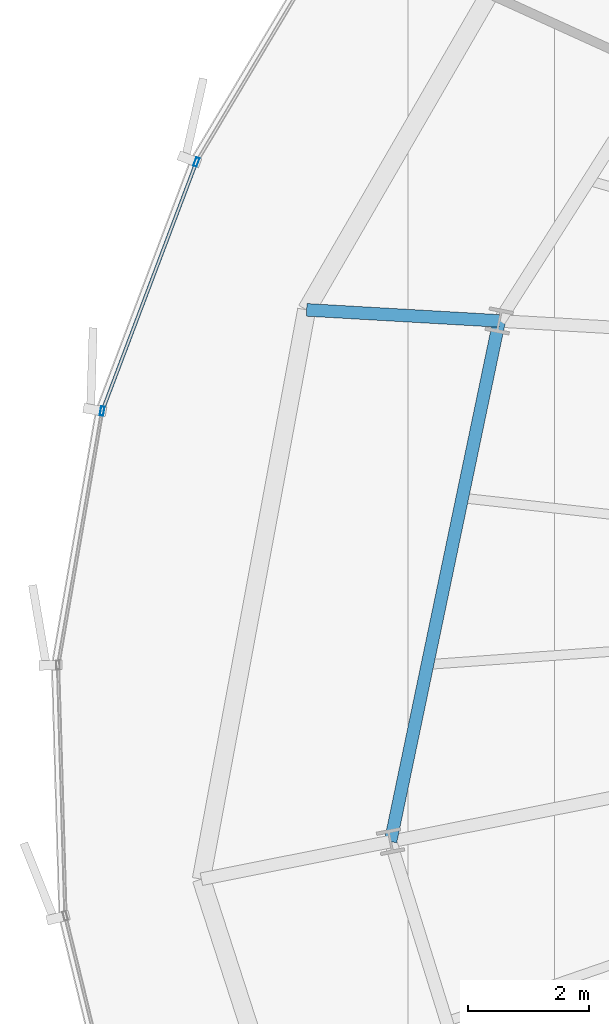
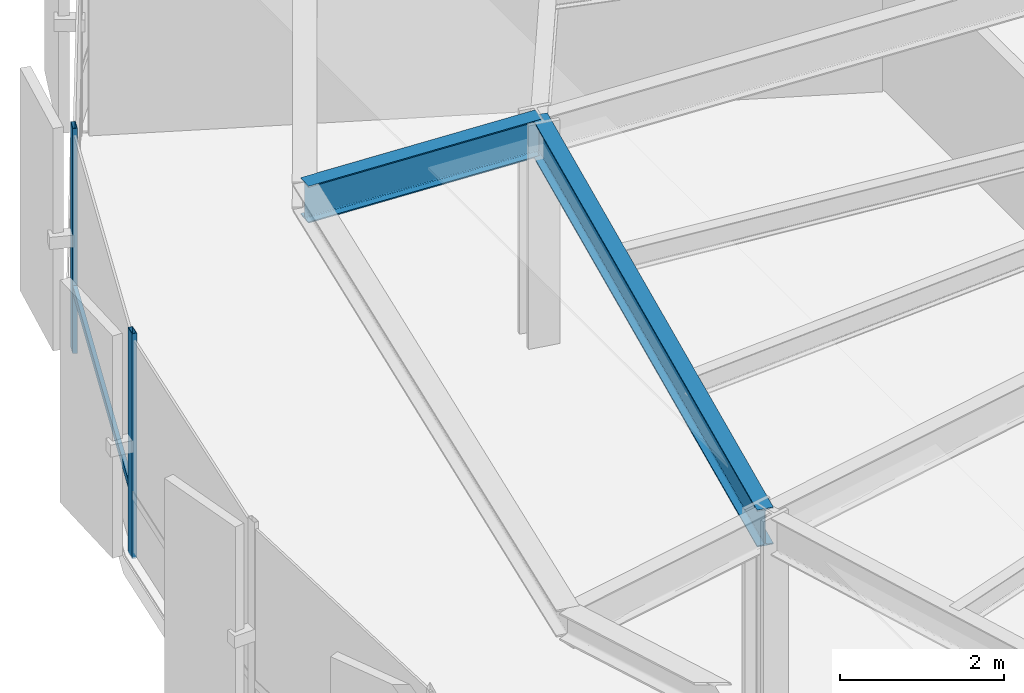
# One storey, part 10 of 33: 3 members, 2 beams, 1 element without a shape of its own.
"""IFC4 building model written with IfcOpenShell, lengths in metres."""

from ifc_helpers import new_model, si_unit, direction, frame, origin, origin_2d, place, context, subcontext, project, spatial, hollow_rectangle, i_section, extrude, source, transform, mapped, material, layer, layer_set, material_profile, profile_set, type_object, element, aggregate, save


model = new_model("IFC4")

# Units and contexts
model_context = context("Model", 3, precision=1e-05, world=origin(), true_north=direction((0.0, 1.0)))
body_context = subcontext(model_context, "Body", "Model", "MODEL_VIEW")
ifc_project = project(units=[si_unit("LENGTHUNIT", "METRE"), si_unit("AREAUNIT", "SQUARE_METRE"), si_unit("VOLUMEUNIT", "CUBIC_METRE"), si_unit("PLANEANGLEUNIT", "RADIAN"), si_unit("MASSUNIT", "GRAM", prefix="KILO"), si_unit("THERMODYNAMICTEMPERATUREUNIT", "KELVIN")], contexts=[model_context])

# Site, building, storey
site_placement = place(None, origin())
site = spatial("IfcSite", under=ifc_project, at=site_placement, CompositionType="ELEMENT")
building_placement = place(site_placement, origin())
building = spatial("IfcBuilding", under=site, at=building_placement, Name="Kethvar Cultural Tower", CompositionType="ELEMENT")
storey_placement = place(building_placement, frame((0.0, 0.0, 114.39990234375)))
storey = spatial("IfcBuildingStorey", under=building, at=storey_placement, Name="L28", CompositionType="ELEMENT", Elevation=114.39990234375)

# Beams
ifc_material_1 = material(Name="Steel S355J2", Category="steel")
ifc_material_profile_1 = material_profile(ifc_material_1, i_section(OverallWidth=0.2099609375, OverallDepth=0.550048828125, WebThickness=0.010986328125, FlangeThickness=0.01708984375, FilletRadius=0.02392578125, at=origin_2d()), Name="Steel S355J2 — IPE550")
ifc_profile_set_1 = profile_set([ifc_material_profile_1], Name="Steel S355J2 — IPE550")
beam_type = type_object("IfcBeamType", Name="BM-IPE550", PredefinedType="BEAM", material=ifc_profile_set_1)
shared_shape_1 = source(origin(), body_context, "Body", "SweptSolid", [
    extrude(i_section(OverallWidth=0.2099609375, OverallDepth=0.550048828125, WebThickness=0.010986328125, FlangeThickness=0.01708984375, FilletRadius=0.02392578125, at=origin_2d()), origin(), (0.0, 0.0, 1.0), 3.2001953125),
])
beam_1_placement = place(storey_placement, frame((25.988525390625, 31.939697265625, 3.072998046875), z_axis=(-0.998357274949, 0.057295301352, 0.0), x_axis=(-0.057295301352, -0.998357274949, 0.0)))
element("IfcBeam", 1, at=beam_1_placement, inside=storey, type_object=beam_type, Name="L28 Perimeter Cantilever Beam RC-08", PredefinedType="BEAM", context=body_context, shape_type="MappedRepresentation", body=[
    mapped(shared_shape_1, transform((0.0, 0.0, 0.0), scale=1.0)),
])
shared_shape_2 = source(origin(), body_context, "Body", "SweptSolid", [
    extrude(i_section(OverallWidth=0.2099609375, OverallDepth=0.550048828125, WebThickness=0.010986328125, FlangeThickness=0.01708984375, FilletRadius=0.02392578125, at=origin_2d()), origin(), (0.0, 0.0, 1.0), 8.82421875),
])
beam_2_placement = place(storey_placement, frame((25.988525390625, 31.939697265625, 3.072998046875), z_axis=(-0.204350879122, -0.978897705688, 0.0), x_axis=(0.978897705688, -0.204350879122, 0.0)))
element("IfcBeam", 2, at=beam_2_placement, inside=storey, type_object=beam_type, Name="L28 Column Ring Tie Beam CR-08", PredefinedType="BEAM", context=body_context, shape_type="MappedRepresentation", body=[
    mapped(shared_shape_2, transform((0.0, 0.0, 0.0), scale=1.0)),
])

# Curtain wall, members
ifc_material_2 = material(Name="Aluminium 6063-T6", Category="aluminium")
ifc_layer = layer(ifc_material_2, 0.179931640625, Name="Aluminium 6063-T6", Category="aluminium")
ifc_layer_set = layer_set([ifc_layer], Name="Aluminium 6063-T6 (180 mm)")
curtain_wall_type = type_object("IfcCurtainWallType", Name="CW-SYS-03-Z2", PredefinedType="NOTDEFINED", material=ifc_layer_set)
curtain_wall_placement = place(storey_placement, origin())
curtain_wall = element("IfcCurtainWall", 3, at=curtain_wall_placement, inside=storey, type_object=curtain_wall_type, Name="L28 Curtain Wall Run 03", PredefinedType="NOTDEFINED")
ifc_material_profile_2 = material_profile(ifc_material_2, hollow_rectangle(XDim=0.06005859375, YDim=0.14990234375, WallThickness=0.0048828125, at=origin_2d()), Name="Aluminium 6063-T6 — RHS150x60x5")
ifc_profile_set_2 = profile_set([ifc_material_profile_2], Name="Aluminium 6063-T6 — RHS150x60x5")
member_type_1 = type_object("IfcMemberType", Name="CW-SYS-03-Z2-MUL", PredefinedType="MULLION", material=ifc_profile_set_2)
shared_shape_3 = source(origin(), body_context, "Body", "SweptSolid", [
    extrude(hollow_rectangle(XDim=0.06005859375, YDim=0.14990234375, WallThickness=0.0048828125, at=origin_2d()), origin(), (0.0, 0.0, 1.0), 3.35009765625),
])
member_1_placement = place(storey_placement, frame((20.96533203125, 34.576171875, 0.0), z_axis=(0.0, 0.0, 1.0), x_axis=(0.93543169166, -0.353507496721, 0.0)))
member_1 = element("IfcMember", 4, at=member_1_placement, type_object=member_type_1, Name="CW-L28-R03 Mullion 3", PredefinedType="MULLION", context=body_context, shape_type="MappedRepresentation", body=[
    mapped(shared_shape_3, transform((0.0, 0.0, 0.0), scale=1.0)),
])
member_2_placement = place(storey_placement, frame((19.401123046875, 30.443115234375, 0.0), z_axis=(0.0, 0.0, 1.0), x_axis=(0.985312681882, -0.170759828185, 0.0)))
member_2 = element("IfcMember", 5, at=member_2_placement, type_object=member_type_1, Name="CW-L28-R03 Mullion 4", PredefinedType="MULLION", context=body_context, shape_type="MappedRepresentation", body=[
    mapped(shared_shape_3, transform((0.0, 0.0, 0.0), scale=1.0)),
])
ifc_material_profile_3 = material_profile(ifc_material_2, hollow_rectangle(XDim=0.054931640625, YDim=0.1201171875, WallThickness=0.00390625, at=origin_2d()), Name="Aluminium 6063-T6 — RHS120x55x4")
ifc_profile_set_3 = profile_set([ifc_material_profile_3], Name="Aluminium 6063-T6 — RHS120x55x4")
member_type_2 = type_object("IfcMemberType", Name="CW-SYS-03-Z2-TRN", PredefinedType="USERDEFINED", material=ifc_profile_set_3)
shared_shape_4 = source(origin(), body_context, "Body", "SweptSolid", [
    extrude(hollow_rectangle(XDim=0.054931640625, YDim=0.1201171875, WallThickness=0.00390625, at=origin_2d()), origin(), (0.0, 0.0, 1.0), 4.354736328125),
])
member_3_placement = place(storey_placement, frame((20.9501953125, 34.535888671875, 0.9501953125), z_axis=(-0.353536847405, -0.935420599264, 0.0), x_axis=(0.935420599264, -0.353536847405, 0.0)))
member_3 = element("IfcMember", 6, at=member_3_placement, type_object=member_type_2, Name="CW-L28-R03 Transom 3", ObjectType="TRANSOM", PredefinedType="USERDEFINED", context=body_context, shape_type="MappedRepresentation", body=[
    mapped(shared_shape_4, transform((0.0, 0.0, 0.0), scale=1.0)),
])
aggregate(curtain_wall, [member_1, member_2, member_3])

save(model, "model.ifc")
